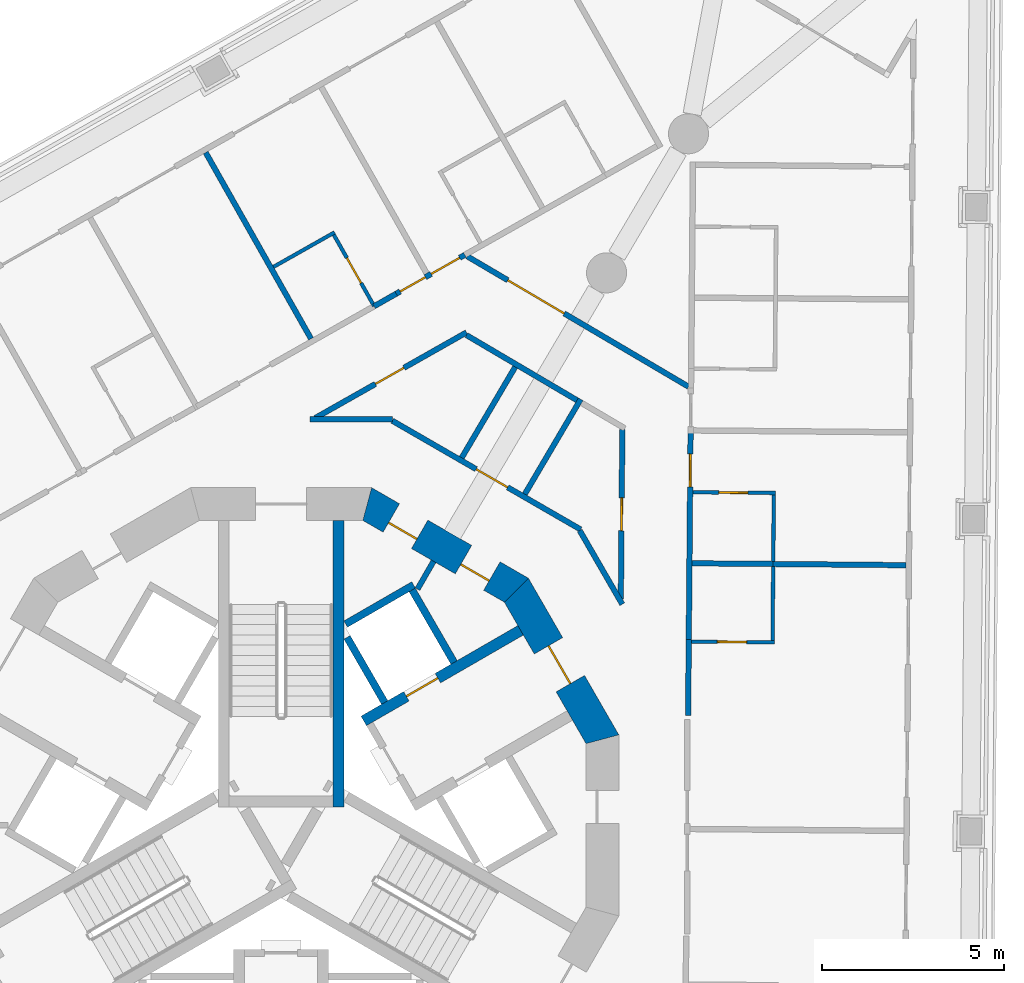
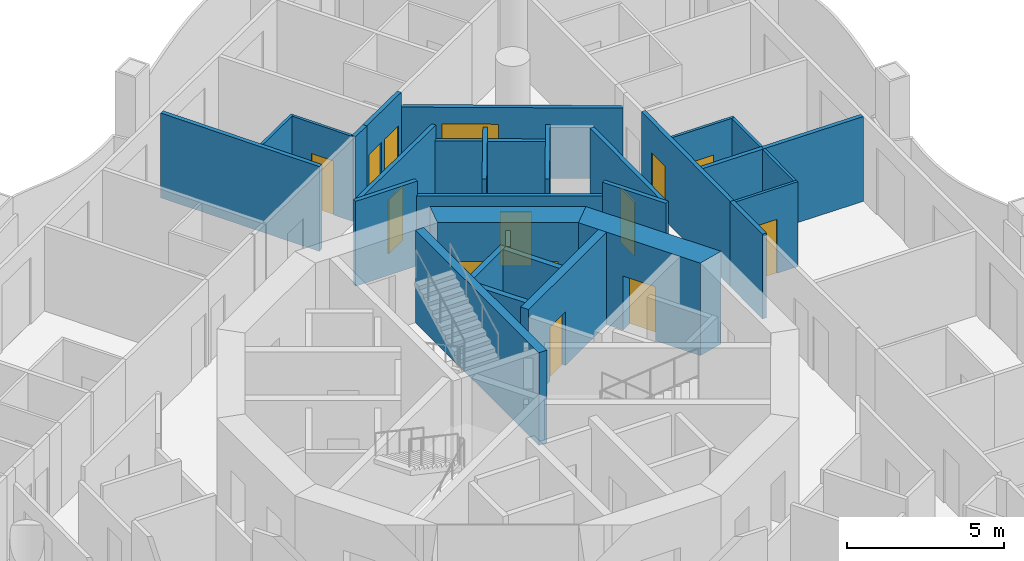
# One storey, part 9 of 18: 30 walls, 14 doors, 14 openings.
"""IFC4 building model written with IfcOpenShell, lengths in metres."""

from ifc_helpers import new_model, si_unit, direction, frame, frame_2d, origin, place, context, subcontext, project, spatial, polyline, rectangle, outline, extrude, material, layer, layer_set, type_object, element, fill, save


model = new_model("IFC4")

# Units and contexts
model_context = context("Model", 3, precision=1e-05, world=origin(), true_north=direction((0.0, 1.0)))
body_context = subcontext(model_context, "Body", "Model", "MODEL_VIEW")
ifc_project = project(units=[si_unit("LENGTHUNIT", "METRE"), si_unit("AREAUNIT", "SQUARE_METRE"), si_unit("VOLUMEUNIT", "CUBIC_METRE"), si_unit("PLANEANGLEUNIT", "RADIAN"), si_unit("MASSUNIT", "GRAM", prefix="KILO")], contexts=[model_context])

# Site, building, storey
site_placement = place(None, origin())
site = spatial("IfcSite", under=ifc_project, at=site_placement, CompositionType="ELEMENT")
building_placement = place(site_placement, origin())
building = spatial("IfcBuilding", under=site, at=building_placement, Name="Trine Commons Tower", CompositionType="ELEMENT")
storey_placement = place(building_placement, frame((0.0, 0.0, 171.89990234375)))
storey = spatial("IfcBuildingStorey", under=building, at=storey_placement, Name="L44", CompositionType="ELEMENT", Elevation=171.89990234375)

# Wall
ifc_material_1 = material(Name="Plasterboard partition on steel studs", Category="steel")
ifc_layer_1 = layer(ifc_material_1, 0.14990234375)
ifc_layer_set_1 = layer_set([ifc_layer_1], Name="Plasterboard partition on steel studs")
wall_type_1 = type_object("IfcWallType", Name="Core room partition 150 mm, EI 60", PredefinedType="PARTITIONING", material=ifc_layer_set_1)
wall_1_placement = place(storey_placement, frame((84.18603515625, 69.7509765625, 0.0), z_axis=(0.0, 0.0, 1.0), x_axis=(-0.499890179513, -0.866088799389, 0.0)))
element("IfcWall", 1, at=wall_1_placement, inside=storey, type_object=wall_type_1, Name="Core room partition L44", PredefinedType="PARTITIONING", context=body_context, shape_type="SweptSolid", body=[
    extrude(rectangle(XDim=0.882080078125, YDim=0.14990234375, at=frame_2d((0.44091796875, 0.0))), origin(), (0.0, 0.0, 1.0), 3.300048828125),
])

# Wall, opening, door
ifc_material_2 = material(Name="Concrete C60/75", Category="concrete")
ifc_layer_2 = layer(ifc_material_2, 0.300048828125)
ifc_layer_set_2 = layer_set([ifc_layer_2], Name="Concrete C60/75")
wall_type_2 = type_object("IfcWallType", Name="RC shear wall 300 mm, C60/75", PredefinedType="SHEAR", material=ifc_layer_set_2)
wall_2_placement = place(storey_placement, frame((82.26904296875, 65.368896484375, 0.0), z_axis=(0.0, 0.0, 1.0), x_axis=(0.865983655544, 0.500072303102, 0.0)))
wall_2 = element("IfcWall", 2, at=wall_2_placement, inside=storey, type_object=wall_type_2, Name="Core cross wall SWB-05 L44", PredefinedType="SHEAR", context=body_context, shape_type="SweptSolid", body=[
    extrude(rectangle(XDim=4.973388671875, YDim=0.300048828125, at=frame_2d((2.48681640625, 0.0))), origin(), (0.0, 0.0, 1.0), 3.60009765625),
])
opening_1_placement = place(wall_2_placement, frame((1.3505859375, 0.0, 0.0)))
opening_1 = element("IfcOpeningElement", 3, at=opening_1_placement, cuts=wall_2, Name="Opening LD5", PredefinedType="OPENING", context=body_context, shape_type="SweptSolid", body=[
    extrude(rectangle(XDim=1.0, YDim=2.10009765625, at=frame_2d((0.5, 1.050048828125))), frame((0.0, 0.159912109375, 0.0), z_axis=(0.0, -1.0, 0.0), x_axis=(1.0, 0.0, 0.0)), (0.0, 0.0, 1.0), 0.320068359375),
])
ifc_material_3 = material(Name="Stainless steel sliding door leaves", Category="steel")
door_type_1 = type_object("IfcDoorType", Name="Lift landing door, centre-opening sliding 1000 x 2100, FD90", OperationType="DOUBLE_DOOR_SLIDING", PredefinedType="DOOR", material=ifc_material_3)
door_1_placement = place(opening_1_placement, origin())
door_1 = element("IfcDoor", 4, at=door_1_placement, inside=storey, type_object=door_type_1, Name="Lift landing door HR1 L44", OperationType="DOUBLE_DOOR_SLIDING", OverallHeight=2.10009765625, OverallWidth=1.0, PredefinedType="DOOR", context=body_context, shape_type="SweptSolid", body=[
    extrude(rectangle(XDim=1.0, YDim=2.10009765625, at=frame_2d((0.5, 1.050048828125))), frame((0.0, 0.02490234375, 0.0), z_axis=(0.0, -1.0, 0.0), x_axis=(1.0, 0.0, 0.0)), (0.0, 0.0, 1.0), 0.050048828125),
])
fill(opening_1, door_1)

# Wall
wall_3_placement = place(storey_placement, frame((81.574951171875, 63.0009765625, 0.0), z_axis=(0.0, 0.0, 1.0), x_axis=(0.0, 1.0, 0.0)))
element("IfcWall", 5, at=wall_3_placement, inside=storey, type_object=wall_type_2, Name="Core cross wall SWB-17 L44", PredefinedType="SHEAR", context=body_context, shape_type="SweptSolid", body=[
    extrude(rectangle(XDim=7.8720703125, YDim=0.300048828125, at=frame_2d((3.93603515625, 0.0))), origin(), (0.0, 0.0, 1.0), 3.60009765625),
])

# Wall, opening, door
ifc_layer_3 = layer(ifc_material_2, 0.89990234375)
ifc_layer_set_3 = layer_set([ifc_layer_3], Name="Concrete C60/75")
wall_type_3 = type_object("IfcWallType", Name="RC shear wall 900 mm, C60/75", PredefinedType="SHEAR", material=ifc_layer_set_3)
wall_4_placement = place(storey_placement, frame((88.88330078125, 64.759765625, 0.0), z_axis=(0.0, 0.0, 1.0), x_axis=(-0.500038571144, 0.866003133579, 0.0)))
wall_4 = element("IfcWall", 6, at=wall_4_placement, inside=storey, type_object=wall_type_3, Name="Core wall CWE-02 L44", PredefinedType="SHEAR", context=body_context, shape_type="SweptSolid", body=[
    extrude(outline(polyline([(0.0, -0.449951171875), (4.96923828125, -0.449951171875), (4.72802734375, 0.449951171875), (0.2412109375, 0.449951171875), (0.0, -0.449951171875)])), origin(), (0.0, 0.0, 1.0), 3.60009765625),
])
opening_2_placement = place(wall_4_placement, frame((1.884521484375, 0.0, 0.0)))
opening_2 = element("IfcOpeningElement", 7, at=opening_2_placement, cuts=wall_4, Name="Opening K11.04", PredefinedType="OPENING", context=body_context, shape_type="SweptSolid", body=[
    extrude(rectangle(XDim=1.199951171875, YDim=2.10009765625, at=frame_2d((0.60009765625, 1.050048828125))), frame((0.0, 0.4599609375, 0.0), z_axis=(0.0, -1.0, 0.0), x_axis=(1.0, 0.0, 0.0)), (0.0, 0.0, 1.0), 0.919921875),
])
ifc_material_4 = material(Name="Steel door leaves, fire-rated", Category="steel")
door_type_2 = type_object("IfcDoorType", Name="Lobby door, double leaf 1200 x 2100, FD60", OperationType="DOUBLE_DOOR_SINGLE_SWING", PredefinedType="DOOR", material=ifc_material_4)
door_2_placement = place(opening_2_placement, origin())
door_2 = element("IfcDoor", 8, at=door_2_placement, inside=storey, type_object=door_type_2, Name="Lobby door, Passenger lift lobby A L44", OperationType="DOUBLE_DOOR_SINGLE_SWING", OverallHeight=2.10009765625, OverallWidth=1.199951171875, PredefinedType="DOOR", context=body_context, shape_type="SweptSolid", body=[
    extrude(rectangle(XDim=1.199951171875, YDim=2.10009765625, at=frame_2d((0.60009765625, 1.050048828125))), frame((0.0, 0.02490234375, 0.0), z_axis=(0.0, -1.0, 0.0), x_axis=(1.0, 0.0, 0.0)), (0.0, 0.0, 1.0), 0.050048828125),
])
fill(opening_2, door_2)

# Wall, openings, doors
wall_5_placement = place(storey_placement, frame((86.563232421875, 68.8984375, 0.0), z_axis=(0.0, 0.0, 1.0), x_axis=(-0.866003133579, 0.500038571144, 0.0)))
wall_5 = element("IfcWall", 9, at=wall_5_placement, inside=storey, type_object=wall_type_3, Name="Core wall CWE-03 L44", PredefinedType="SHEAR", context=body_context, shape_type="SweptSolid", body=[
    extrude(outline(polyline([(0.0, -0.449951171875), (4.96923828125, -0.449951171875), (4.72802734375, 0.449951171875), (0.2412109375, 0.449951171875), (0.0, -0.449951171875)])), origin(), (0.0, 0.0, 1.0), 3.60009765625),
])
opening_3_placement = place(wall_5_placement, frame((0.89599609375, 0.0, 0.0)))
opening_3 = element("IfcOpeningElement", 10, at=opening_3_placement, cuts=wall_5, Name="Opening K11.11", PredefinedType="OPENING", context=body_context, shape_type="SweptSolid", body=[
    extrude(rectangle(XDim=0.89990234375, YDim=2.10009765625, at=frame_2d((0.449951171875, 1.050048828125))), frame((0.0, 0.4599609375, 0.0), z_axis=(0.0, -1.0, 0.0), x_axis=(1.0, 0.0, 0.0)), (0.0, 0.0, 1.0), 0.919921875),
])
opening_4_placement = place(wall_5_placement, frame((3.18505859375, 0.0, 0.0)))
opening_4 = element("IfcOpeningElement", 11, at=opening_4_placement, cuts=wall_5, Name="Opening K11.12", PredefinedType="OPENING", context=body_context, shape_type="SweptSolid", body=[
    extrude(rectangle(XDim=0.89990234375, YDim=2.10009765625, at=frame_2d((0.449951171875, 1.050048828125))), frame((0.0, 0.4599609375, 0.0), z_axis=(0.0, -1.0, 0.0), x_axis=(1.0, 0.0, 0.0)), (0.0, 0.0, 1.0), 0.919921875),
])
ifc_material_5 = material(Name="Steel door leaf, fire-rated", Category="steel")
door_type_3 = type_object("IfcDoorType", Name="Core room door, single leaf 900 x 2100, FD30S", OperationType="SINGLE_SWING_LEFT", PredefinedType="DOOR", material=ifc_material_5)
door_3_placement = place(opening_3_placement, origin())
door_3 = element("IfcDoor", 12, at=door_3_placement, inside=storey, type_object=door_type_3, Name="Door to Pantry L44", OperationType="SINGLE_SWING_LEFT", OverallHeight=2.10009765625, OverallWidth=0.89990234375, PredefinedType="DOOR", context=body_context, shape_type="SweptSolid", body=[
    extrude(rectangle(XDim=0.89990234375, YDim=2.10009765625, at=frame_2d((0.449951171875, 1.050048828125))), frame((0.0, 0.1748046875, 0.0), z_axis=(0.0, -1.0, 0.0), x_axis=(1.0, 0.0, 0.0)), (0.0, 0.0, 1.0), 0.050048828125),
])
fill(opening_3, door_3)
door_4_placement = place(opening_4_placement, origin())
door_4 = element("IfcDoor", 13, at=door_4_placement, inside=storey, type_object=door_type_3, Name="Door to Comms room L44", OperationType="SINGLE_SWING_RIGHT", OverallHeight=2.10009765625, OverallWidth=0.89990234375, PredefinedType="DOOR", context=body_context, shape_type="SweptSolid", body=[
    extrude(rectangle(XDim=0.89990234375, YDim=2.10009765625, at=frame_2d((0.449951171875, 1.050048828125))), frame((0.0, 0.1748046875, 0.0), z_axis=(0.0, -1.0, 0.0), x_axis=(1.0, 0.0, 0.0)), (0.0, 0.0, 1.0), 0.050048828125),
])
fill(opening_4, door_4)

# Walls
ifc_material_6 = material(Name="Fire-rated gypsum shaft wall system")
ifc_layer_4 = layer(ifc_material_6, 0.199951171875)
ifc_layer_set_4 = layer_set([ifc_layer_4], Name="Fire-rated gypsum shaft wall system")
wall_type_4 = type_object("IfcWallType", Name="Shaft wall 200 mm, EI 120", PredefinedType="PARTITIONING", material=ifc_layer_set_4)
wall_6_placement = place(storey_placement, frame((81.77490234375, 68.028076171875, 0.0), z_axis=(0.0, 0.0, 1.0), x_axis=(0.866130725101, 0.499817533742, 0.0)))
element("IfcWall", 14, at=wall_6_placement, inside=storey, type_object=wall_type_4, Name="Shaft wall L44", PredefinedType="PARTITIONING", context=body_context, shape_type="SweptSolid", body=[
    extrude(rectangle(XDim=2.148681640625, YDim=0.199951171875, at=frame_2d((1.07421875, 0.0))), origin(), (0.0, 0.0, 1.0), 3.300048828125),
])
wall_7_placement = place(storey_placement, frame((82.843994140625, 65.8740234375, 0.0), z_axis=(0.0, 0.0, 1.0), x_axis=(-0.499865770674, 0.866102887253, 0.0)))
element("IfcWall", 15, at=wall_7_placement, inside=storey, type_object=wall_type_4, Name="Shaft wall L44", PredefinedType="PARTITIONING", context=body_context, shape_type="SweptSolid", body=[
    extrude(rectangle(XDim=2.064453125, YDim=0.199951171875, at=frame_2d((1.0322265625, 0.0))), origin(), (0.0, 0.0, 1.0), 3.300048828125),
])
wall_8_placement = place(storey_placement, frame((84.7490234375, 66.97412109375, 0.0), z_axis=(0.0, 0.0, 1.0), x_axis=(-0.500136062276, 0.86594683394, 0.0)))
element("IfcWall", 16, at=wall_8_placement, inside=storey, type_object=wall_type_4, Name="Shaft wall L44", PredefinedType="PARTITIONING", context=body_context, shape_type="SweptSolid", body=[
    extrude(rectangle(XDim=2.299072265625, YDim=0.199951171875, at=frame_2d((1.1494140625, 0.0))), origin(), (0.0, 0.0, 1.0), 3.300048828125),
])
ifc_material_7 = material(Name="Gypsum plasterboard on steel stud", Category="steel")
ifc_layer_5 = layer(ifc_material_7, 0.14990234375)
ifc_layer_set_5 = layer_set([ifc_layer_5], Name="Gypsum plasterboard on steel stud")
wall_type_5 = type_object("IfcWallType", Name="Unit and corridor wall 150 mm, EI 60", PredefinedType="PARTITIONING", material=ifc_layer_set_5)
wall_9_placement = place(storey_placement, frame((77.9296875, 80.97314453125, 0.0), z_axis=(0.0, 0.0, 1.0), x_axis=(0.4923790567, -0.870380873252, 0.0)))
element("IfcWall", 17, at=wall_9_placement, inside=storey, type_object=wall_type_5, Name="Partition 063", PredefinedType="PARTITIONING", context=body_context, shape_type="SweptSolid", body=[
    extrude(rectangle(XDim=5.874267578125, YDim=0.14990234375, at=frame_2d((2.93701171875, 0.0))), origin(), (0.0, 0.0, 1.0), 3.300048828125),
])
wall_10_placement = place(storey_placement, frame((80.79296875, 73.64794921875, 0.0), z_axis=(0.0, 0.0, 1.0), x_axis=(1.0, 0.0, 0.0)))
element("IfcWall", 18, at=wall_10_placement, inside=storey, type_object=wall_type_5, Name="Partition 072", PredefinedType="PARTITIONING", context=body_context, shape_type="SweptSolid", body=[
    extrude(rectangle(XDim=2.26904296875, YDim=0.14990234375, at=frame_2d((1.134521484375, 0.0))), origin(), (0.0, 0.0, 1.0), 3.300048828125),
])

# Wall, opening, door
wall_11_placement = place(storey_placement, frame((80.937255859375, 73.684814453125, 0.0), z_axis=(0.0, 0.0, 1.0), x_axis=(0.870319748897, 0.492487090876, 0.0)))
wall_11 = element("IfcWall", 19, at=wall_11_placement, inside=storey, type_object=wall_type_5, Name="Partition 073", PredefinedType="PARTITIONING", context=body_context, shape_type="SweptSolid", body=[
    extrude(rectangle(XDim=4.77197265625, YDim=0.14990234375, at=frame_2d((2.385986328125, 0.0))), origin(), (0.0, 0.0, 1.0), 3.300048828125),
])
opening_5_placement = place(wall_11_placement, frame((1.8984375, 0.0, 0.0)))
opening_5 = element("IfcOpeningElement", 20, at=opening_5_placement, cuts=wall_11, Name="Opening D-5B31", PredefinedType="OPENING", context=body_context, shape_type="SweptSolid", body=[
    extrude(rectangle(XDim=0.89990234375, YDim=2.10009765625, at=frame_2d((0.449951171875, 1.050048828125))), frame((0.0, 0.0849609375, 0.0), z_axis=(0.0, -1.0, 0.0), x_axis=(1.0, 0.0, 0.0)), (0.0, 0.0, 1.0), 0.169921875),
])
ifc_material_8 = material(Name="Timber fire door set", Category="wood")
door_type_4 = type_object("IfcDoorType", Name="Service door 900 x 2100, FD30S", OperationType="NOTDEFINED", PredefinedType="DOOR", material=ifc_material_8)
door_5_placement = place(opening_5_placement, frame((0.89990234375, 0.0, 0.0), z_axis=(0.0, 0.0, 1.0), x_axis=(-1.0, 0.0, 0.0)))
door_5 = element("IfcDoor", 21, at=door_5_placement, inside=storey, type_object=door_type_4, Name="Door D-5B31", OperationType="SINGLE_SWING_RIGHT", OverallHeight=2.10009765625, OverallWidth=0.89990234375, PredefinedType="DOOR", context=body_context, shape_type="SweptSolid", body=[
    extrude(rectangle(XDim=0.89990234375, YDim=2.10009765625, at=frame_2d((0.449951171875, 1.050048828125))), frame((0.0, 0.02490234375, 0.0), z_axis=(0.0, -1.0, 0.0), x_axis=(1.0, 0.0, 0.0)), (0.0, 0.0, 1.0), 0.050048828125),
])
fill(opening_5, door_5)

# Wall
wall_12_placement = place(storey_placement, frame((82.552978515625, 76.7529296875, 0.0), z_axis=(0.0, 0.0, 1.0), x_axis=(0.869982154761, 0.493083208391, 0.0)))
element("IfcWall", 22, at=wall_12_placement, inside=storey, type_object=wall_type_5, Name="Partition 077", PredefinedType="PARTITIONING", context=body_context, shape_type="SweptSolid", body=[
    extrude(rectangle(XDim=0.69775390625, YDim=0.14990234375, at=frame_2d((0.348876953125, 0.0))), origin(), (0.0, 0.0, 1.0), 3.300048828125),
])

# Wall, opening, door
wall_13_placement = place(storey_placement, frame((83.052001953125, 73.610595703125, 0.0), z_axis=(0.0, 0.0, 1.0), x_axis=(0.866039280689, -0.499975963725, 0.0)))
wall_13 = element("IfcWall", 23, at=wall_13_placement, inside=storey, type_object=wall_type_5, Name="Partition 079", PredefinedType="PARTITIONING", context=body_context, shape_type="SweptSolid", body=[
    extrude(rectangle(XDim=5.974365234375, YDim=0.14990234375, at=frame_2d((2.9873046875, 0.0))), origin(), (0.0, 0.0, 1.0), 2.75),
])
opening_6_placement = place(wall_13_placement, frame((2.6591796875, 0.0, 0.0)))
opening_6 = element("IfcOpeningElement", 24, at=opening_6_placement, cuts=wall_13, Name="Opening D-5B38", PredefinedType="OPENING", context=body_context, shape_type="SweptSolid", body=[
    extrude(rectangle(XDim=1.0, YDim=2.10009765625, at=frame_2d((0.5, 1.050048828125))), frame((0.0, 0.0849609375, 0.0), z_axis=(0.0, -1.0, 0.0), x_axis=(1.0, 0.0, 0.0)), (0.0, 0.0, 1.0), 0.169921875),
])
ifc_material_9 = material(Name="Painted timber", Category="wood")
door_type_5 = type_object("IfcDoorType", Name="Toilet door 1000 x 2100, NOT RATED", OperationType="NOTDEFINED", PredefinedType="DOOR", material=ifc_material_9)
door_6_placement = place(opening_6_placement, origin())
door_6 = element("IfcDoor", 25, at=door_6_placement, inside=storey, type_object=door_type_5, Name="Door D-5B38", OperationType="SINGLE_SWING_RIGHT", OverallHeight=2.10009765625, OverallWidth=1.0, PredefinedType="DOOR", context=body_context, shape_type="SweptSolid", body=[
    extrude(rectangle(XDim=1.0, YDim=2.10009765625, at=frame_2d((0.5, 1.050048828125))), frame((0.0, 0.02490234375, 0.0), z_axis=(0.0, -1.0, 0.0), x_axis=(1.0, 0.0, 0.0)), (0.0, 0.0, 1.0), 0.050048828125),
])
fill(opening_6, door_6)

# Wall, openings, doors
wall_14_placement = place(storey_placement, frame((83.159912109375, 77.096923828125, 0.0), z_axis=(0.0, 0.0, 1.0), x_axis=(0.870310669697, 0.49250313523, 0.0)))
wall_14 = element("IfcWall", 26, at=wall_14_placement, inside=storey, type_object=wall_type_5, Name="Partition 080", PredefinedType="PARTITIONING", context=body_context, shape_type="SweptSolid", body=[
    extrude(rectangle(XDim=2.164794921875, YDim=0.14990234375, at=frame_2d((1.08251953125, 0.0))), origin(), (0.0, 0.0, 1.0), 3.300048828125),
])
opening_7_placement = place(wall_14_placement, frame((0.123046875, 0.0, 0.0)))
opening_7 = element("IfcOpeningElement", 27, at=opening_7_placement, cuts=wall_14, Name="Opening D-5B12", PredefinedType="OPENING", context=body_context, shape_type="SweptSolid", body=[
    extrude(rectangle(XDim=0.800048828125, YDim=2.10009765625, at=frame_2d((0.39990234375, 1.050048828125))), frame((0.0, 0.0849609375, 0.0), z_axis=(0.0, -1.0, 0.0), x_axis=(1.0, 0.0, 0.0)), (0.0, 0.0, 1.0), 0.169921875),
])
opening_8_placement = place(wall_14_placement, frame((1.10302734375, 0.0, 0.0)))
opening_8 = element("IfcOpeningElement", 28, at=opening_8_placement, cuts=wall_14, Name="Opening D-5B13", PredefinedType="OPENING", context=body_context, shape_type="SweptSolid", body=[
    extrude(rectangle(XDim=0.89990234375, YDim=2.10009765625, at=frame_2d((0.449951171875, 1.050048828125))), frame((0.0, 0.0849609375, 0.0), z_axis=(0.0, -1.0, 0.0), x_axis=(1.0, 0.0, 0.0)), (0.0, 0.0, 1.0), 0.169921875),
])
door_type_6 = type_object("IfcDoorType", Name="Bedroom door 800 x 2100, FD30S", OperationType="NOTDEFINED", PredefinedType="DOOR", material=ifc_material_8)
door_7_placement = place(opening_7_placement, origin())
door_7 = element("IfcDoor", 29, at=door_7_placement, inside=storey, type_object=door_type_6, Name="Door D-5B12", OperationType="SINGLE_SWING_LEFT", OverallHeight=2.10009765625, OverallWidth=0.800048828125, PredefinedType="DOOR", context=body_context, shape_type="SweptSolid", body=[
    extrude(rectangle(XDim=0.800048828125, YDim=2.10009765625, at=frame_2d((0.39990234375, 1.050048828125))), frame((0.0, 0.02490234375, 0.0), z_axis=(0.0, -1.0, 0.0), x_axis=(1.0, 0.0, 0.0)), (0.0, 0.0, 1.0), 0.050048828125),
])
fill(opening_7, door_7)
door_type_7 = type_object("IfcDoorType", Name="Bedroom door 900 x 2100, FD30S", OperationType="NOTDEFINED", PredefinedType="DOOR", material=ifc_material_8)
door_8_placement = place(opening_8_placement, origin())
door_8 = element("IfcDoor", 30, at=door_8_placement, inside=storey, type_object=door_type_7, Name="Door D-5B13", OperationType="SINGLE_SWING_RIGHT", OverallHeight=2.10009765625, OverallWidth=0.89990234375, PredefinedType="DOOR", context=body_context, shape_type="SweptSolid", body=[
    extrude(rectangle(XDim=0.89990234375, YDim=2.10009765625, at=frame_2d((0.449951171875, 1.050048828125))), frame((0.0, 0.02490234375, 0.0), z_axis=(0.0, -1.0, 0.0), x_axis=(1.0, 0.0, 0.0)), (0.0, 0.0, 1.0), 0.050048828125),
])
fill(opening_8, door_8)

# Walls
wall_15_placement = place(storey_placement, frame((84.960205078125, 72.595703125, 0.0), z_axis=(0.0, 0.0, 1.0), x_axis=(0.507595999699, 0.861595207212, 0.0)))
element("IfcWall", 31, at=wall_15_placement, inside=storey, type_object=wall_type_5, Name="Partition 092", PredefinedType="PARTITIONING", context=body_context, shape_type="SweptSolid", body=[
    extrude(rectangle(XDim=2.8896484375, YDim=0.14990234375, at=frame_2d((1.44482421875, 0.0))), origin(), (0.0, 0.0, 1.0), 3.300048828125),
])
wall_16_placement = place(storey_placement, frame((85.089599609375, 75.9599609375, 0.0), z_axis=(0.0, 0.0, 1.0), x_axis=(0.861618447689, -0.507556549166, 0.0)))
element("IfcWall", 32, at=wall_16_placement, inside=storey, type_object=wall_type_5, Name="Partition 093", PredefinedType="PARTITIONING", context=body_context, shape_type="SweptSolid", body=[
    extrude(rectangle(XDim=3.599365234375, YDim=0.14990234375, at=frame_2d((1.7998046875, 0.0))), origin(), (0.0, 0.0, 1.0), 2.75),
])

# Wall, opening, door
wall_17_placement = place(storey_placement, frame((85.108642578125, 78.125, 0.0), z_axis=(0.0, 0.0, 1.0), x_axis=(0.861598717736, -0.507590040875, 0.0)))
wall_17 = element("IfcWall", 33, at=wall_17_placement, inside=storey, type_object=wall_type_5, Name="Partition 095", PredefinedType="PARTITIONING", context=body_context, shape_type="SweptSolid", body=[
    extrude(rectangle(XDim=7.056396484375, YDim=0.14990234375, at=frame_2d((3.5283203125, 0.0))), origin(), (0.0, 0.0, 1.0), 2.75),
])
opening_9_placement = place(wall_17_placement, frame((1.29296875, 0.0, 0.0)))
opening_9 = element("IfcOpeningElement", 34, at=opening_9_placement, cuts=wall_17, Name="Opening D-5B01", PredefinedType="OPENING", context=body_context, shape_type="SweptSolid", body=[
    extrude(rectangle(XDim=1.800048828125, YDim=2.10009765625, at=frame_2d((0.89990234375, 1.050048828125))), frame((0.0, 0.0849609375, 0.0), z_axis=(0.0, -1.0, 0.0), x_axis=(1.0, 0.0, 0.0)), (0.0, 0.0, 1.0), 0.169921875),
])
door_type_8 = type_object("IfcDoorType", Name="Cluster entrance door 1800 x 2100, double leaf, FD30S", OperationType="DOUBLE_DOOR_DOUBLE_SWING", PredefinedType="DOOR", material=ifc_material_8)
door_9_placement = place(opening_9_placement, origin())
door_9 = element("IfcDoor", 35, at=door_9_placement, inside=storey, type_object=door_type_8, Name="Door D-5B01", OperationType="DOUBLE_DOOR_DOUBLE_SWING", OverallHeight=2.10009765625, OverallWidth=1.800048828125, PredefinedType="DOOR", context=body_context, shape_type="SweptSolid", body=[
    extrude(rectangle(XDim=1.800048828125, YDim=2.10009765625, at=frame_2d((0.89990234375, 1.050048828125))), frame((0.0, 0.02490234375, 0.0), z_axis=(0.0, -1.0, 0.0), x_axis=(1.0, 0.0, 0.0)), (0.0, 0.0, 1.0), 0.050048828125),
])
fill(opening_9, door_9)

# Walls
wall_18_placement = place(storey_placement, frame((86.692138671875, 71.595703125, 0.0), z_axis=(0.0, 0.0, 1.0), x_axis=(0.507553107521, 0.861620475062, 0.0)))
element("IfcWall", 36, at=wall_18_placement, inside=storey, type_object=wall_type_5, Name="Partition 102", PredefinedType="PARTITIONING", context=body_context, shape_type="SweptSolid", body=[
    extrude(rectangle(XDim=3.022216796875, YDim=0.14990234375, at=frame_2d((1.51123046875, 0.0))), origin(), (0.0, 0.0, 1.0), 3.300048828125),
])
wall_19_placement = place(storey_placement, frame((88.198486328125, 70.595947265625, 0.0), z_axis=(0.0, 0.0, 1.0), x_axis=(0.500005931509, -0.866021979199, 0.0)))
element("IfcWall", 37, at=wall_19_placement, inside=storey, type_object=wall_type_5, Name="Partition 110", PredefinedType="PARTITIONING", context=body_context, shape_type="SweptSolid", body=[
    extrude(rectangle(XDim=2.3359375, YDim=0.14990234375, at=frame_2d((1.16796875, 0.0))), origin(), (0.0, 0.0, 1.0), 3.300048828125),
])

# Wall, opening, door
wall_20_placement = place(storey_placement, frame((89.32763671875, 68.716064453125, 0.0), z_axis=(0.0, 0.0, 1.0), x_axis=(0.008771592358, 0.999961528844, 0.0)))
wall_20 = element("IfcWall", 38, at=wall_20_placement, inside=storey, type_object=wall_type_5, Name="Partition 117", PredefinedType="PARTITIONING", context=body_context, shape_type="SweptSolid", body=[
    extrude(rectangle(XDim=4.648193359375, YDim=0.14990234375, at=frame_2d((2.32421875, 0.0))), origin(), (0.0, 0.0, 1.0), 3.300048828125),
])
opening_10_placement = place(wall_20_placement, frame((1.8740234375, 0.0, 0.0)))
opening_10 = element("IfcOpeningElement", 39, at=opening_10_placement, cuts=wall_20, Name="Opening D-5B33", PredefinedType="OPENING", context=body_context, shape_type="SweptSolid", body=[
    extrude(rectangle(XDim=0.89990234375, YDim=2.10009765625, at=frame_2d((0.449951171875, 1.050048828125))), frame((0.0, 0.0849609375, 0.0), z_axis=(0.0, -1.0, 0.0), x_axis=(1.0, 0.0, 0.0)), (0.0, 0.0, 1.0), 0.169921875),
])
door_10_placement = place(opening_10_placement, origin())
door_10 = element("IfcDoor", 40, at=door_10_placement, inside=storey, type_object=door_type_4, Name="Door D-5B33", OperationType="SINGLE_SWING_RIGHT", OverallHeight=2.10009765625, OverallWidth=0.89990234375, PredefinedType="DOOR", context=body_context, shape_type="SweptSolid", body=[
    extrude(rectangle(XDim=0.89990234375, YDim=2.10009765625, at=frame_2d((0.449951171875, 1.050048828125))), frame((0.0, 0.02490234375, 0.0), z_axis=(0.0, -1.0, 0.0), x_axis=(1.0, 0.0, 0.0)), (0.0, 0.0, 1.0), 0.050048828125),
])
fill(opening_10, door_10)

# Wall
wall_21_placement = place(storey_placement, frame((91.174560546875, 65.51611328125, 0.0), z_axis=(0.0, 0.0, 1.0), x_axis=(0.00854769709, 0.99996346777, 0.0)))
element("IfcWall", 41, at=wall_21_placement, inside=storey, type_object=wall_type_5, Name="Partition 131", PredefinedType="PARTITIONING", context=body_context, shape_type="SweptSolid", body=[
    extrude(rectangle(XDim=2.0849609375, YDim=0.14990234375, at=frame_2d((1.04248046875, 0.0))), origin(), (0.0, 0.0, 1.0), 3.300048828125),
])

# Wall, opening, door
wall_22_placement = place(storey_placement, frame((91.19189453125, 67.54296875, 0.0), z_axis=(0.0, 0.0, 1.0), x_axis=(0.008789667593, 0.999961370126, 0.0)))
wall_22 = element("IfcWall", 42, at=wall_22_placement, inside=storey, type_object=wall_type_5, Name="Partition 132", PredefinedType="PARTITIONING", context=body_context, shape_type="SweptSolid", body=[
    extrude(rectangle(XDim=5.80517578125, YDim=0.14990234375, at=frame_2d((2.902587890625, 0.0))), origin(), (0.0, 0.0, 1.0), 3.300048828125),
])
opening_11_placement = place(wall_22_placement, frame((4.254150390625, 0.0, 0.0)))
opening_11 = element("IfcOpeningElement", 43, at=opening_11_placement, cuts=wall_22, Name="Opening D-5B17", PredefinedType="OPENING", context=body_context, shape_type="SweptSolid", body=[
    extrude(rectangle(XDim=0.89990234375, YDim=2.10009765625, at=frame_2d((0.449951171875, 1.050048828125))), frame((0.0, 0.0849609375, 0.0), z_axis=(0.0, -1.0, 0.0), x_axis=(1.0, 0.0, 0.0)), (0.0, 0.0, 1.0), 0.169921875),
])
door_11_placement = place(opening_11_placement, frame((0.89990234375, 0.0, 0.0), z_axis=(0.0, 0.0, 1.0), x_axis=(-1.0, 0.0, 0.0)))
door_11 = element("IfcDoor", 44, at=door_11_placement, inside=storey, type_object=door_type_7, Name="Door D-5B17", OperationType="SINGLE_SWING_LEFT", OverallHeight=2.10009765625, OverallWidth=0.89990234375, PredefinedType="DOOR", context=body_context, shape_type="SweptSolid", body=[
    extrude(rectangle(XDim=0.89990234375, YDim=2.10009765625, at=frame_2d((0.449951171875, 1.050048828125))), frame((0.0, 0.02490234375, 0.0), z_axis=(0.0, -1.0, 0.0), x_axis=(1.0, 0.0, 0.0)), (0.0, 0.0, 1.0), 0.050048828125),
])
fill(opening_11, door_11)

# Walls
wall_23_placement = place(storey_placement, frame((91.285888671875, 69.6962890625, 0.0), z_axis=(0.0, 0.0, 1.0), x_axis=(0.999962435149, -0.008667657711, 0.0)))
element("IfcWall", 45, at=wall_23_placement, inside=storey, type_object=wall_type_5, Name="Partition 134", PredefinedType="PARTITIONING", context=body_context, shape_type="SweptSolid", body=[
    extrude(rectangle(XDim=2.22509765625, YDim=0.14990234375, at=frame_2d((1.112548828125, 0.0))), origin(), (0.0, 0.0, 1.0), 3.300048828125),
])
wall_24_placement = place(storey_placement, frame((93.510986328125, 69.677001953125, 0.0), z_axis=(0.0, 0.0, 1.0), x_axis=(0.999959811346, -0.008965249212, 0.0)))
element("IfcWall", 46, at=wall_24_placement, inside=storey, type_object=wall_type_5, Name="Partition 147", PredefinedType="PARTITIONING", context=body_context, shape_type="SweptSolid", body=[
    extrude(rectangle(XDim=3.649169921875, YDim=0.14990234375, at=frame_2d((1.82470703125, 0.0))), origin(), (0.0, 0.0, 1.0), 3.300048828125),
])
ifc_layer_6 = layer(ifc_material_7, 0.10009765625)
ifc_layer_set_6 = layer_set([ifc_layer_6], Name="Gypsum plasterboard on steel stud")
wall_type_6 = type_object("IfcWallType", Name="Unit partition 100 mm, no rating", PredefinedType="PARTITIONING", material=ifc_layer_set_6)
wall_25_placement = place(storey_placement, frame((79.792236328125, 77.833984375, 0.0), z_axis=(0.0, 0.0, 1.0), x_axis=(0.870428144139, 0.49229548636, 0.0)))
element("IfcWall", 47, at=wall_25_placement, inside=storey, type_object=wall_type_6, Name="Partition 067", PredefinedType="PARTITIONING", context=body_context, shape_type="SweptSolid", body=[
    extrude(rectangle(XDim=1.924560546875, YDim=0.10009765625, at=frame_2d((0.96240234375, 0.0))), origin(), (0.0, 0.0, 1.0), 3.300048828125),
])

# Wall, opening, door
wall_26_placement = place(storey_placement, frame((81.448486328125, 78.71337890625, 0.0), z_axis=(0.0, 0.0, 1.0), x_axis=(0.492207424062, -0.870477944406, 0.0)))
wall_26 = element("IfcWall", 48, at=wall_26_placement, inside=storey, type_object=wall_type_6, Name="Partition 075", PredefinedType="PARTITIONING", context=body_context, shape_type="SweptSolid", body=[
    extrude(rectangle(XDim=2.25, YDim=0.10009765625, at=frame_2d((1.125, 0.0))), origin(), (0.0, 0.0, 1.0), 3.300048828125),
])
opening_12_placement = place(wall_26_placement, frame((0.72509765625, 0.0, 0.0)))
opening_12 = element("IfcOpeningElement", 49, at=opening_12_placement, cuts=wall_26, Name="Opening D-5B44", PredefinedType="OPENING", context=body_context, shape_type="SweptSolid", body=[
    extrude(rectangle(XDim=0.800048828125, YDim=2.10009765625, at=frame_2d((0.39990234375, 1.050048828125))), frame((0.0, 0.06005859375, 0.0), z_axis=(0.0, -1.0, 0.0), x_axis=(1.0, 0.0, 0.0)), (0.0, 0.0, 1.0), 0.1201171875),
])
door_type_9 = type_object("IfcDoorType", Name="Internal door 800 x 2100, NOT RATED", OperationType="NOTDEFINED", PredefinedType="DOOR", material=ifc_material_9)
door_12_placement = place(opening_12_placement, origin())
door_12 = element("IfcDoor", 50, at=door_12_placement, inside=storey, type_object=door_type_9, Name="Door D-5B44", OperationType="SINGLE_SWING_RIGHT", OverallHeight=2.10009765625, OverallWidth=0.800048828125, PredefinedType="DOOR", context=body_context, shape_type="SweptSolid", body=[
    extrude(rectangle(XDim=0.800048828125, YDim=2.10009765625, at=frame_2d((0.39990234375, 1.050048828125))), frame((0.0, 0.02490234375, 0.0), z_axis=(0.0, -1.0, 0.0), x_axis=(1.0, 0.0, 0.0)), (0.0, 0.0, 1.0), 0.050048828125),
])
fill(opening_12, door_12)

wall_27_placement = place(storey_placement, frame((91.26806640625, 67.54638671875, 0.0), z_axis=(0.0, 0.0, 1.0), x_axis=(0.999962219299, -0.008692524121, 0.0)))
wall_27 = element("IfcWall", 51, at=wall_27_placement, inside=storey, type_object=wall_type_6, Name="Partition 133", PredefinedType="PARTITIONING", context=body_context, shape_type="SweptSolid", body=[
    extrude(rectangle(XDim=2.27490234375, YDim=0.10009765625, at=frame_2d((1.137451171875, 0.0))), origin(), (0.0, 0.0, 1.0), 3.300048828125),
])
opening_13_placement = place(wall_27_placement, frame((0.71240234375, 0.0, 0.0)))
opening_13 = element("IfcOpeningElement", 52, at=opening_13_placement, cuts=wall_27, Name="Opening D-5B50", PredefinedType="OPENING", context=body_context, shape_type="SweptSolid", body=[
    extrude(rectangle(XDim=0.800048828125, YDim=2.10009765625, at=frame_2d((0.39990234375, 1.050048828125))), frame((0.0, 0.06005859375, 0.0), z_axis=(0.0, -1.0, 0.0), x_axis=(1.0, 0.0, 0.0)), (0.0, 0.0, 1.0), 0.1201171875),
])
door_13_placement = place(opening_13_placement, frame((0.800048828125, 0.0, 0.0), z_axis=(0.0, 0.0, 1.0), x_axis=(-1.0, 0.0, 0.0)))
door_13 = element("IfcDoor", 53, at=door_13_placement, inside=storey, type_object=door_type_9, Name="Door D-5B50", OperationType="SINGLE_SWING_RIGHT", OverallHeight=2.10009765625, OverallWidth=0.800048828125, PredefinedType="DOOR", context=body_context, shape_type="SweptSolid", body=[
    extrude(rectangle(XDim=0.800048828125, YDim=2.10009765625, at=frame_2d((0.39990234375, 1.050048828125))), frame((0.0, 0.02490234375, 0.0), z_axis=(0.0, -1.0, 0.0), x_axis=(1.0, 0.0, 0.0)), (0.0, 0.0, 1.0), 0.050048828125),
])
fill(opening_13, door_13)

wall_28_placement = place(storey_placement, frame((91.303955078125, 71.646240234375, 0.0), z_axis=(0.0, 0.0, 1.0), x_axis=(0.999963114686, -0.008588903712, 0.0)))
wall_28 = element("IfcWall", 54, at=wall_28_placement, inside=storey, type_object=wall_type_6, Name="Partition 135", PredefinedType="PARTITIONING", context=body_context, shape_type="SweptSolid", body=[
    extrude(rectangle(XDim=2.27392578125, YDim=0.10009765625, at=frame_2d((1.136962890625, 0.0))), origin(), (0.0, 0.0, 1.0), 3.300048828125),
])
opening_14_placement = place(wall_28_placement, frame((0.7119140625, 0.0, 0.0)))
opening_14 = element("IfcOpeningElement", 55, at=opening_14_placement, cuts=wall_28, Name="Opening D-5B49", PredefinedType="OPENING", context=body_context, shape_type="SweptSolid", body=[
    extrude(rectangle(XDim=0.800048828125, YDim=2.10009765625, at=frame_2d((0.39990234375, 1.050048828125))), frame((0.0, 0.06005859375, 0.0), z_axis=(0.0, -1.0, 0.0), x_axis=(1.0, 0.0, 0.0)), (0.0, 0.0, 1.0), 0.1201171875),
])
door_14_placement = place(opening_14_placement, origin())
door_14 = element("IfcDoor", 56, at=door_14_placement, inside=storey, type_object=door_type_9, Name="Door D-5B49", OperationType="SINGLE_SWING_LEFT", OverallHeight=2.10009765625, OverallWidth=0.800048828125, PredefinedType="DOOR", context=body_context, shape_type="SweptSolid", body=[
    extrude(rectangle(XDim=0.800048828125, YDim=2.10009765625, at=frame_2d((0.39990234375, 1.050048828125))), frame((0.0, 0.02490234375, 0.0), z_axis=(0.0, -1.0, 0.0), x_axis=(1.0, 0.0, 0.0)), (0.0, 0.0, 1.0), 0.050048828125),
])
fill(opening_14, door_14)

# Walls
wall_29_placement = place(storey_placement, frame((93.493408203125, 67.576904296875, 0.0), z_axis=(0.0, 0.0, 1.0), x_axis=(0.008438518102, 0.999964395072, 0.0)))
element("IfcWall", 57, at=wall_29_placement, inside=storey, type_object=wall_type_6, Name="Partition 145", PredefinedType="PARTITIONING", context=body_context, shape_type="SweptSolid", body=[
    extrude(rectangle(XDim=2.025146484375, YDim=0.10009765625, at=frame_2d((1.0126953125, 0.0))), origin(), (0.0, 0.0, 1.0), 3.300048828125),
])
wall_30_placement = place(storey_placement, frame((93.51171875, 69.751953125, 0.0), z_axis=(0.0, 0.0, 1.0), x_axis=(0.008695323434, 0.999962194961, 0.0)))
element("IfcWall", 58, at=wall_30_placement, inside=storey, type_object=wall_type_6, Name="Partition 146", PredefinedType="PARTITIONING", context=body_context, shape_type="SweptSolid", body=[
    extrude(rectangle(XDim=1.824951171875, YDim=0.10009765625, at=frame_2d((0.91259765625, 0.0))), origin(), (0.0, 0.0, 1.0), 3.300048828125),
])

save(model, "model.ifc")
